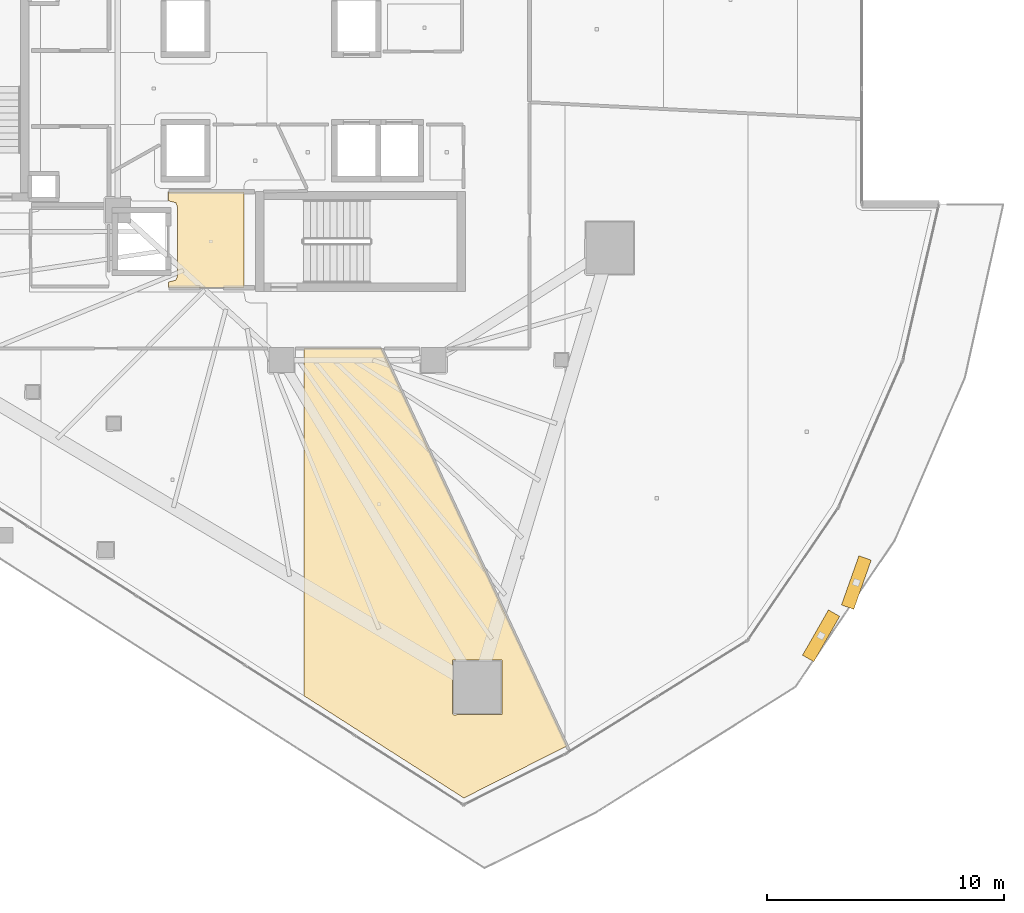
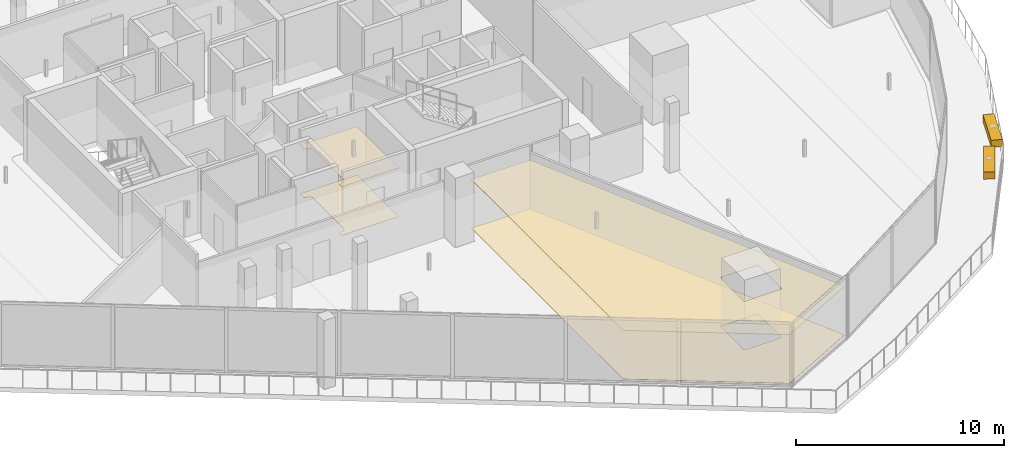
# One storey, part 33 of 38: 4 coverings, 2 shading devices.
"""IFC4 building model written with IfcOpenShell, lengths in metres."""

from ifc_helpers import new_model, si_unit, direction, frame, origin, origin_2d, place, context, subcontext, project, spatial, polyline, rectangle, outline, extrude, material, layer, layer_set, type_object, element, save


model = new_model("IFC4")

# Units and contexts
model_context = context("Model", 3, precision=1e-05, world=origin(), true_north=direction((0.0, 1.0)))
body_context = subcontext(model_context, "Body", "Model", "MODEL_VIEW")
ifc_project = project(units=[si_unit("LENGTHUNIT", "METRE"), si_unit("AREAUNIT", "SQUARE_METRE"), si_unit("VOLUMEUNIT", "CUBIC_METRE"), si_unit("PLANEANGLEUNIT", "RADIAN"), si_unit("MASSUNIT", "GRAM", prefix="KILO")], contexts=[model_context])

# Site, building, storey
site_placement = place(None, origin())
site = spatial("IfcSite", under=ifc_project, at=site_placement, CompositionType="ELEMENT")
building_placement = place(site_placement, origin())
building = spatial("IfcBuilding", under=site, at=building_placement, Name="Qorvath Tower", CompositionType="ELEMENT")
storey_placement = place(building_placement, frame((0.0, 0.0, 134.10009765625)))
storey = spatial("IfcBuildingStorey", under=building, at=storey_placement, Name="L30", CompositionType="ELEMENT", Elevation=134.10009765625)

# Coverings
ifc_material_1 = material(Name="Acoustic mineral fibre ceiling tile", Category="gypsum")
ifc_layer_1 = layer(ifc_material_1, 0.030029296875)
ifc_layer_set_1 = layer_set([ifc_layer_1], Name="COV-CEIL")
covering_type_1 = type_object("IfcCoveringType", Name="COV-CEIL", PredefinedType="CEILING", material=ifc_layer_set_1)
covering_1_placement = place(storey_placement, frame((0.0, 0.0, 2.849853515625)))
element("IfcCovering", 1, at=covering_1_placement, inside=storey, type_object=covering_type_1, Name="L30 Suspended Acoustic Ceiling 002", PredefinedType="CEILING", context=body_context, shape_type="SweptSolid", body=[
    extrude(outline(polyline([(-25.18994140625, -8.39501953125), (-25.18994140625, -4.35498046875), (-28.375, -4.35498046875), (-28.375, -4.739990234375), (-28.063232421875, -4.813232421875), (-27.989990234375, -4.989990234375), (-27.989990234375, -7.909912109375), (-28.063232421875, -8.086669921875), (-28.375, -8.159912109375), (-28.375, -8.39501953125), (-25.18994140625, -8.39501953125)])), origin(), (0.0, 0.0, 1.0), 0.030029296875),
])
covering_2_placement = place(storey_placement, frame((0.0, 0.0, 2.849853515625)))
element("IfcCovering", 2, at=covering_2_placement, inside=storey, type_object=covering_type_1, Name="L30 Suspended Acoustic Ceiling 016", PredefinedType="CEILING", context=body_context, shape_type="SweptSolid", body=[
    extrude(outline(polyline([(-11.5751953125, -27.7236328125), (-19.392333984375, -10.962890625), (-22.65771484375, -10.962890625), (-22.65771484375, -25.60546875), (-15.91552734375, -29.914794921875), (-11.5751953125, -27.7236328125)]), holes=[polyline([(-16.404296875, -26.34619140625), (-16.38671875, -24.103759765625), (-14.3017578125, -24.103759765625), (-14.3017578125, -26.388427734375), (-16.34423828125, -26.406005859375), (-16.404296875, -26.34619140625)])]), origin(), (0.0, 0.0, 1.0), 0.030029296875),
])
ifc_material_2 = material(Name="Low-VOC modular carpet tile", Category="textile")
ifc_layer_2 = layer(ifc_material_2, 0.014892578125)
ifc_layer_set_2 = layer_set([ifc_layer_2], Name="COV-FLOOR-CPT")
covering_type_2 = type_object("IfcCoveringType", Name="COV-FLOOR-CPT", PredefinedType="FLOORING", material=ifc_layer_set_2)
covering_3_placement = place(storey_placement, origin())
element("IfcCovering", 3, at=covering_3_placement, inside=storey, type_object=covering_type_2, Name="L30 Floor Finish 016", PredefinedType="FLOORING", context=body_context, shape_type="SweptSolid", body=[
    extrude(outline(polyline([(-11.5751953125, -27.7236328125), (-19.392333984375, -10.962890625), (-22.65771484375, -10.962890625), (-22.65771484375, -25.60546875), (-15.91552734375, -29.914794921875), (-11.5751953125, -27.7236328125)]), holes=[polyline([(-16.404296875, -26.34619140625), (-16.38671875, -24.103759765625), (-14.3017578125, -24.103759765625), (-14.3017578125, -26.388427734375), (-16.34423828125, -26.406005859375), (-16.404296875, -26.34619140625)])]), origin(), (0.0, 0.0, 1.0), 0.014892578125),
])
ifc_material_3 = material(Name="Polished epoxy terrazzo flooring", Category="concrete")
ifc_layer_3 = layer(ifc_material_3, 0.02001953125)
ifc_layer_set_3 = layer_set([ifc_layer_3], Name="COV-FLOOR-TRZ")
covering_type_3 = type_object("IfcCoveringType", Name="COV-FLOOR-TRZ", PredefinedType="FLOORING", material=ifc_layer_set_3)
covering_4_placement = place(storey_placement, origin())
element("IfcCovering", 4, at=covering_4_placement, inside=storey, type_object=covering_type_3, Name="L30 Floor Finish 002", PredefinedType="FLOORING", context=body_context, shape_type="SweptSolid", body=[
    extrude(outline(polyline([(-25.18994140625, -8.39501953125), (-25.18994140625, -4.35498046875), (-28.375, -4.35498046875), (-28.375, -4.739990234375), (-28.063232421875, -4.813232421875), (-27.989990234375, -4.989990234375), (-27.989990234375, -7.909912109375), (-28.063232421875, -8.086669921875), (-28.375, -8.159912109375), (-28.375, -8.39501953125), (-25.18994140625, -8.39501953125)])), origin(), (0.0, 0.0, 1.0), 0.014892578125),
])

# Shading devices
ifc_material_4 = material(Name="Anodised bronze-champagne aluminium", Category="aluminium")
shading_device_type = type_object("IfcShadingDeviceType", Name="SD-LOUVRE", PredefinedType="JALOUSIE", material=ifc_material_4)
for number, where, z_axis, x_axis, name in (
    (5, (-0.853515625, -23.0751953125, 3.35986328125), (0.0, 0.0, 1.0), (0.496286205544, 0.868158972877, 0.0), "Sinusoidal Wave Louvre Blade L30-03"),
    (6, (0.631591796875, -20.830810546875, 3.35986328125), (0.0, 0.0, 1.0), (0.334140817888, 0.942523163546, 0.0), "Sinusoidal Wave Louvre Blade L30-04"),
):
    element("IfcShadingDevice", number, at=place(storey_placement, frame(where, z_axis=z_axis, x_axis=x_axis)), inside=storey, type_object=shading_device_type, Name=name, PredefinedType="NOTDEFINED", context=body_context, shape_type="SweptSolid", body=[
        extrude(rectangle(XDim=2.199951171875, YDim=0.550048828125, at=origin_2d()), origin(), (0.0, 0.0, 1.0), 0.419921875),
    ])

save(model, "model.ifc")
